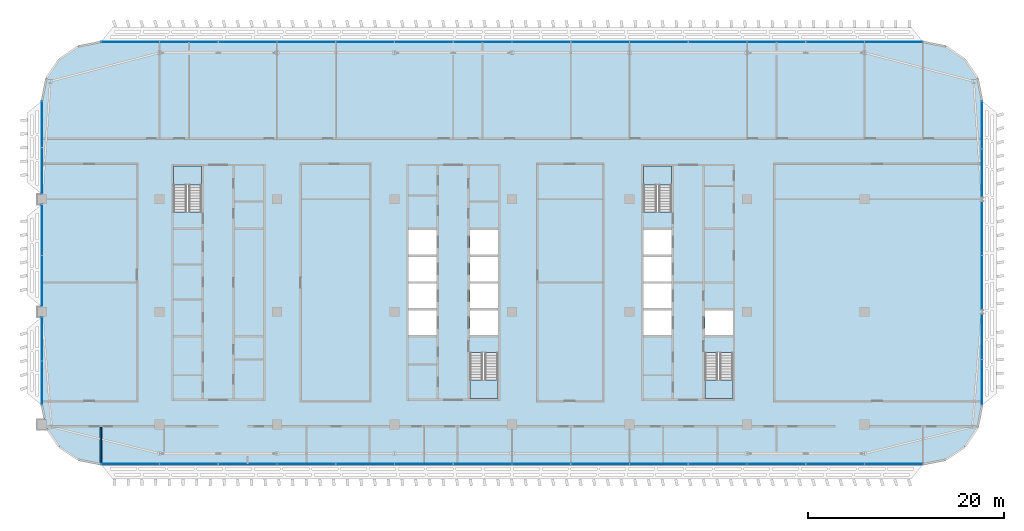
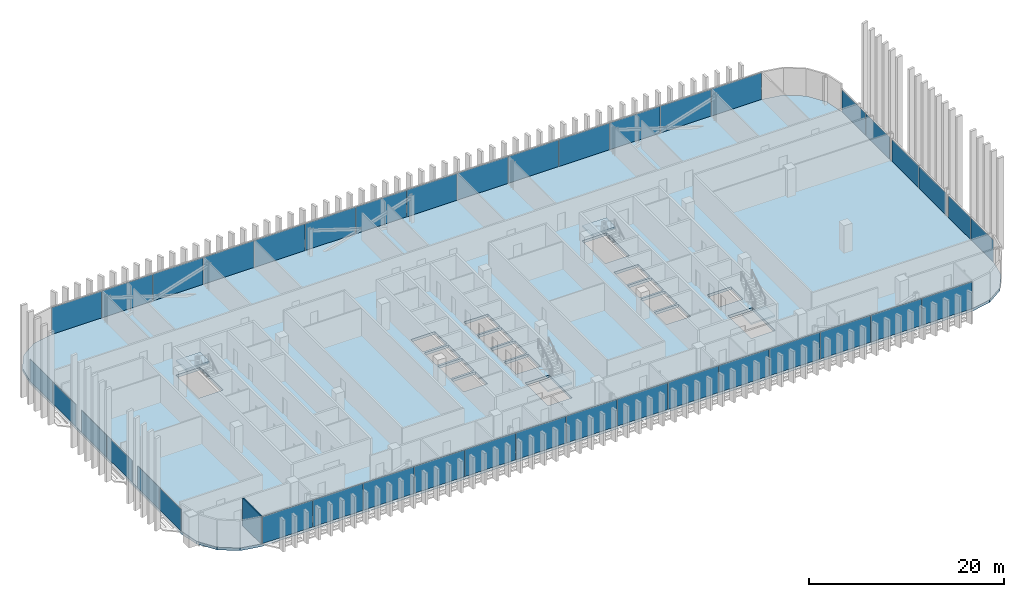
# One storey, part 15 of 32: 40 plates, 5 slabs, 1 wall, 12 elements without a shape of their own.
"""IFC4 building model written with IfcOpenShell, lengths in metres."""

from ifc_helpers import new_model, si_unit, direction, frame, frame_2d, origin, origin_2d, place, context, subcontext, project, spatial, polyline, rectangle, outline, extrude, material, layer, layer_set, type_object, element, aggregate, save


model = new_model("IFC4")

# Units and contexts
model_context = context("Model", 3, precision=1e-05, world=origin(), true_north=direction((0.0, 1.0)))
body_context = subcontext(model_context, "Body", "Model", "MODEL_VIEW")
ifc_project = project(units=[si_unit("LENGTHUNIT", "METRE"), si_unit("AREAUNIT", "SQUARE_METRE"), si_unit("VOLUMEUNIT", "CUBIC_METRE"), si_unit("PLANEANGLEUNIT", "RADIAN"), si_unit("MASSUNIT", "GRAM", prefix="KILO")], contexts=[model_context])

# Site, building, storey
site_placement = place(None, origin())
site = spatial("IfcSite", under=ifc_project, at=site_placement, CompositionType="ELEMENT")
building_placement = place(site_placement, origin())
building = spatial("IfcBuilding", under=site, at=building_placement, Name="Mahtab Terrace Research Tower", CompositionType="ELEMENT")
storey_placement = place(building_placement, frame((0.0, 0.0, 243.800048828125)))
storey = spatial("IfcBuildingStorey", under=building, at=storey_placement, Name="L59", CompositionType="ELEMENT", Elevation=243.800048828125)

# Stair, slab
ifc_material_1 = material(Name="Exit stair half-turn")
stair_type = type_object("IfcStairType", Name="Exit stair half-turn", PredefinedType="HALF_TURN_STAIR", material=ifc_material_1)
stair_1_placement = place(storey_placement, origin())
stair_1 = element("IfcStair", 1, at=stair_1_placement, inside=storey, type_object=stair_type, Name="L59 Protected exit stair ST1", PredefinedType="HALF_TURN_STAIR")
ifc_material_2 = material(Name="Concrete C40/50", Category="concrete")
ifc_layer_1 = layer(ifc_material_2, 0.199951171875)
ifc_layer_set_1 = layer_set([ifc_layer_1], Name="Exit stair landing 200")
slab_type_1 = type_object("IfcSlabType", Name="Exit stair landing 200", PredefinedType="LANDING", material=ifc_layer_set_1)
slab_1_placement = place(storey_placement, frame((0.0, 0.0, 1.699951171875)))
slab_1 = element("IfcSlab", 2, at=slab_1_placement, type_object=slab_type_1, Name="ST1 landing 1", PredefinedType="LANDING", context=body_context, shape_type="SweptSolid", body=[
    extrude(outline(polyline([(-25.699951171875, 12.97509765625), (-25.699951171875, 14.875), (-28.550048828125, 14.875), (-28.550048828125, 12.97509765625), (-25.699951171875, 12.97509765625)])), origin(), (0.0, 0.0, 1.0), 0.199951171875),
])
aggregate(stair_1, [slab_1])

stair_2_placement = place(storey_placement, origin())
stair_2 = element("IfcStair", 3, at=stair_2_placement, inside=storey, type_object=stair_type, Name="L59 Protected exit stair ST2", PredefinedType="HALF_TURN_STAIR")
slab_2_placement = place(storey_placement, frame((0.0, 0.0, 1.699951171875)))
slab_2 = element("IfcSlab", 4, at=slab_2_placement, type_object=slab_type_1, Name="ST2 landing 1", PredefinedType="LANDING", context=body_context, shape_type="SweptSolid", body=[
    extrude(outline(polyline([(1.699951171875, -6.97509765625), (1.699951171875, -8.875), (4.550048828125, -8.875), (4.550048828125, -6.97509765625), (1.699951171875, -6.97509765625)])), origin(), (0.0, 0.0, 1.0), 0.199951171875),
])
aggregate(stair_2, [slab_2])

stair_3_placement = place(storey_placement, origin())
stair_3 = element("IfcStair", 5, at=stair_3_placement, inside=storey, type_object=stair_type, Name="L59 Protected exit stair ST3", PredefinedType="HALF_TURN_STAIR")
slab_3_placement = place(storey_placement, frame((0.0, 0.0, 1.699951171875)))
slab_3 = element("IfcSlab", 6, at=slab_3_placement, type_object=slab_type_1, Name="ST3 landing 1", PredefinedType="LANDING", context=body_context, shape_type="SweptSolid", body=[
    extrude(outline(polyline([(22.300048828125, 12.97509765625), (22.300048828125, 14.875), (19.449951171875, 14.875), (19.449951171875, 12.97509765625), (22.300048828125, 12.97509765625)])), origin(), (0.0, 0.0, 1.0), 0.199951171875),
])
aggregate(stair_3, [slab_3])

stair_4_placement = place(storey_placement, origin())
stair_4 = element("IfcStair", 7, at=stair_4_placement, inside=storey, type_object=stair_type, Name="L59 Protected exit stair ST4", PredefinedType="HALF_TURN_STAIR")
slab_4_placement = place(storey_placement, frame((0.0, 0.0, 1.699951171875)))
slab_4 = element("IfcSlab", 8, at=slab_4_placement, type_object=slab_type_1, Name="ST4 landing 1", PredefinedType="LANDING", context=body_context, shape_type="SweptSolid", body=[
    extrude(outline(polyline([(25.699951171875, -6.97509765625), (25.699951171875, -8.875), (28.550048828125, -8.875), (28.550048828125, -6.97509765625), (25.699951171875, -6.97509765625)])), origin(), (0.0, 0.0, 1.0), 0.199951171875),
])
aggregate(stair_4, [slab_4])

# Curtain wall, plates
ifc_material_3 = material(Name="Office ribbon curtain wall")
curtain_wall_type = type_object("IfcCurtainWallType", Name="Office ribbon curtain wall", PredefinedType="NOTDEFINED", material=ifc_material_3)
curtain_wall_1_placement = place(storey_placement, origin())
curtain_wall_1 = element("IfcCurtainWall", 9, at=curtain_wall_1_placement, inside=storey, type_object=curtain_wall_type, Name="EN.L59.3.3", PredefinedType="NOTDEFINED")
ifc_material_4 = material(Name="Dark glazing", Category="glass")
ifc_layer_2 = layer(ifc_material_4, 0.030029296875)
ifc_layer_set_2 = layer_set([ifc_layer_2], Name="Office ribbon curtain wall glazing panel")
plate_type_1 = type_object("IfcPlateType", Name="Office ribbon curtain wall glazing panel", PredefinedType="CURTAIN_PANEL", material=ifc_layer_set_2)
plate_1_placement = place(storey_placement, frame((44.985107421875, 27.555908203125, 0.0), z_axis=(0.0, 0.0, 1.0), x_axis=(-1.0, 0.0, 0.0)))
plate_1 = element("IfcPlate", 10, at=plate_1_placement, type_object=plate_type_1, Name="CWO-7 panel 1", PredefinedType="CURTAIN_PANEL", context=body_context, shape_type="SweptSolid", body=[
    extrude(rectangle(XDim=5.909912109375, YDim=0.030029296875, at=origin_2d()), origin(), (0.0, 0.0, 1.0), 3.360107421875),
])
plate_2_placement = place(storey_placement, frame((27.0, 27.555908203125, 0.0), z_axis=(0.0, 0.0, 1.0), x_axis=(-1.0, 0.0, 0.0)))
plate_2 = element("IfcPlate", 11, at=plate_2_placement, type_object=plate_type_1, Name="CWO-7 panel 4", PredefinedType="CURTAIN_PANEL", context=body_context, shape_type="SweptSolid", body=[
    extrude(rectangle(XDim=5.93994140625, YDim=0.030029296875, at=origin_2d()), origin(), (0.0, 0.0, 1.0), 3.360107421875),
])
plate_3_placement = place(storey_placement, frame((21.0, 27.555908203125, 0.0), z_axis=(0.0, 0.0, 1.0), x_axis=(-1.0, 0.0, 0.0)))
plate_3 = element("IfcPlate", 12, at=plate_3_placement, type_object=plate_type_1, Name="CWO-7 panel 5", PredefinedType="CURTAIN_PANEL", context=body_context, shape_type="SweptSolid", body=[
    extrude(rectangle(XDim=5.93994140625, YDim=0.030029296875, at=origin_2d()), origin(), (0.0, 0.0, 1.0), 3.360107421875),
])
plate_4_placement = place(storey_placement, frame((15.0, 27.555908203125, 0.0), z_axis=(0.0, 0.0, 1.0), x_axis=(-1.0, 0.0, 0.0)))
plate_4 = element("IfcPlate", 13, at=plate_4_placement, type_object=plate_type_1, Name="CWO-7 panel 6", PredefinedType="CURTAIN_PANEL", context=body_context, shape_type="SweptSolid", body=[
    extrude(rectangle(XDim=5.93994140625, YDim=0.030029296875, at=origin_2d()), origin(), (0.0, 0.0, 1.0), 3.360107421875),
])
plate_5_placement = place(storey_placement, frame((9.0, 27.555908203125, 0.0), z_axis=(0.0, 0.0, 1.0), x_axis=(-1.0, 0.0, 0.0)))
plate_5 = element("IfcPlate", 14, at=plate_5_placement, type_object=plate_type_1, Name="CWO-7 panel 7", PredefinedType="CURTAIN_PANEL", context=body_context, shape_type="SweptSolid", body=[
    extrude(rectangle(XDim=5.93994140625, YDim=0.030029296875, at=origin_2d()), origin(), (0.0, 0.0, 1.0), 3.360107421875),
])
plate_6_placement = place(storey_placement, frame((-9.0, 27.555908203125, 0.0), z_axis=(0.0, 0.0, 1.0), x_axis=(-1.0, 0.0, 0.0)))
plate_6 = element("IfcPlate", 15, at=plate_6_placement, type_object=plate_type_1, Name="CWO-7 panel 10", PredefinedType="CURTAIN_PANEL", context=body_context, shape_type="SweptSolid", body=[
    extrude(rectangle(XDim=5.93994140625, YDim=0.030029296875, at=origin_2d()), origin(), (0.0, 0.0, 1.0), 3.360107421875),
])
plate_7_placement = place(storey_placement, frame((-15.0, 27.555908203125, 0.0), z_axis=(0.0, 0.0, 1.0), x_axis=(-1.0, 0.0, 0.0)))
plate_7 = element("IfcPlate", 16, at=plate_7_placement, type_object=plate_type_1, Name="CWO-7 panel 11", PredefinedType="CURTAIN_PANEL", context=body_context, shape_type="SweptSolid", body=[
    extrude(rectangle(XDim=5.93994140625, YDim=0.030029296875, at=origin_2d()), origin(), (0.0, 0.0, 1.0), 3.360107421875),
])
plate_8_placement = place(storey_placement, frame((-32.985107421875, 27.555908203125, 0.0), z_axis=(0.0, 0.0, 1.0), x_axis=(-1.0, 0.0, 0.0)))
plate_8 = element("IfcPlate", 17, at=plate_8_placement, type_object=plate_type_1, Name="CWO-7 panel 14", PredefinedType="CURTAIN_PANEL", context=body_context, shape_type="SweptSolid", body=[
    extrude(rectangle(XDim=5.909912109375, YDim=0.030029296875, at=origin_2d()), origin(), (0.0, 0.0, 1.0), 3.360107421875),
])

curtain_wall_2_placement = place(storey_placement, origin())
curtain_wall_2 = element("IfcCurtainWall", 18, at=curtain_wall_2_placement, inside=storey, type_object=curtain_wall_type, Name="EN.L59.8.8", PredefinedType="NOTDEFINED")
plate_9_placement = place(storey_placement, frame((-42.0, 19.152099609375, 0.0), z_axis=(0.0, 0.0, 1.0), x_axis=(0.0, -1.0, 0.0)))
plate_9 = element("IfcPlate", 19, at=plate_9_placement, type_object=plate_type_1, Name="CWO-7 panel 1", PredefinedType="CURTAIN_PANEL", context=body_context, shape_type="SweptSolid", body=[
    extrude(rectangle(XDim=4.68798828125, YDim=0.030029296875, at=origin_2d()), origin(), (0.0, 0.0, 1.0), 2.7529296875),
])
plate_10_placement = place(storey_placement, frame((-42.0, 14.404052734375, 0.0), z_axis=(0.0, 0.0, 1.0), x_axis=(0.0, -1.0, 0.0)))
plate_10 = element("IfcPlate", 20, at=plate_10_placement, type_object=plate_type_1, Name="CWO-7 panel 2", PredefinedType="CURTAIN_PANEL", context=body_context, shape_type="SweptSolid", body=[
    extrude(rectangle(XDim=4.68798828125, YDim=0.030029296875, at=origin_2d()), origin(), (0.0, 0.0, 1.0), 2.7529296875),
])
aggregate(curtain_wall_2, [plate_9, plate_10])

curtain_wall_3_placement = place(storey_placement, origin())
curtain_wall_3 = element("IfcCurtainWall", 21, at=curtain_wall_3_placement, inside=storey, type_object=curtain_wall_type, Name="EN.L59.8.9", PredefinedType="NOTDEFINED")
plate_11_placement = place(storey_placement, frame((-42.0, 8.360107421875, 0.0), z_axis=(0.0, 0.0, 1.0), x_axis=(0.0, -1.0, 0.0)))
plate_11 = element("IfcPlate", 22, at=plate_11_placement, type_object=plate_type_1, Name="CWO-7 panel 1", PredefinedType="CURTAIN_PANEL", context=body_context, shape_type="SweptSolid", body=[
    extrude(rectangle(XDim=5.159912109375, YDim=0.030029296875, at=origin_2d()), origin(), (0.0, 0.0, 1.0), 2.7529296875),
])
plate_12_placement = place(storey_placement, frame((-42.0, 3.139892578125, 0.0), z_axis=(0.0, 0.0, 1.0), x_axis=(0.0, -1.0, 0.0)))
plate_12 = element("IfcPlate", 23, at=plate_12_placement, type_object=plate_type_1, Name="CWO-7 panel 2", PredefinedType="CURTAIN_PANEL", context=body_context, shape_type="SweptSolid", body=[
    extrude(rectangle(XDim=5.159912109375, YDim=0.030029296875, at=origin_2d()), origin(), (0.0, 0.0, 1.0), 2.7529296875),
])
aggregate(curtain_wall_3, [plate_11, plate_12])

curtain_wall_4_placement = place(storey_placement, origin())
curtain_wall_4 = element("IfcCurtainWall", 24, at=curtain_wall_4_placement, inside=storey, type_object=curtain_wall_type, Name="EN.L59.8.10", PredefinedType="NOTDEFINED")
plate_13_placement = place(storey_placement, frame((-42.0, -2.779052734375, 0.0), z_axis=(0.0, 0.0, 1.0), x_axis=(0.0, -1.0, 0.0)))
plate_13 = element("IfcPlate", 25, at=plate_13_placement, type_object=plate_type_1, Name="CWO-7 panel 1", PredefinedType="CURTAIN_PANEL", context=body_context, shape_type="SweptSolid", body=[
    extrude(rectangle(XDim=4.43798828125, YDim=0.030029296875, at=origin_2d()), origin(), (0.0, 0.0, 1.0), 2.7529296875),
])
plate_14_placement = place(storey_placement, frame((-42.0, -7.277099609375, 0.0), z_axis=(0.0, 0.0, 1.0), x_axis=(0.0, -1.0, 0.0)))
plate_14 = element("IfcPlate", 26, at=plate_14_placement, type_object=plate_type_1, Name="CWO-7 panel 2", PredefinedType="CURTAIN_PANEL", context=body_context, shape_type="SweptSolid", body=[
    extrude(rectangle(XDim=4.43798828125, YDim=0.030029296875, at=origin_2d()), origin(), (0.0, 0.0, 1.0), 2.7529296875),
])
aggregate(curtain_wall_4, [plate_13, plate_14])

curtain_wall_5_placement = place(storey_placement, origin())
curtain_wall_5 = element("IfcCurtainWall", 27, at=curtain_wall_5_placement, inside=storey, type_object=curtain_wall_type, Name="EN.L59.13.15", PredefinedType="NOTDEFINED")
plate_15_placement = place(storey_placement, frame((-32.985107421875, -15.555908203125, 0.0), z_axis=(0.0, 0.0, 1.0), x_axis=(1.0, 0.0, 0.0)))
plate_15 = element("IfcPlate", 28, at=plate_15_placement, type_object=plate_type_1, Name="CWO-7 panel 1", PredefinedType="CURTAIN_PANEL", context=body_context, shape_type="SweptSolid", body=[
    extrude(rectangle(XDim=5.909912109375, YDim=0.030029296875, at=origin_2d()), origin(), (0.0, 0.0, 1.0), 3.360107421875),
])
plate_16_placement = place(storey_placement, frame((-15.0, -15.555908203125, 0.0), z_axis=(0.0, 0.0, 1.0), x_axis=(1.0, 0.0, 0.0)))
plate_16 = element("IfcPlate", 29, at=plate_16_placement, type_object=plate_type_1, Name="CWO-7 panel 4", PredefinedType="CURTAIN_PANEL", context=body_context, shape_type="SweptSolid", body=[
    extrude(rectangle(XDim=5.93994140625, YDim=0.030029296875, at=origin_2d()), origin(), (0.0, 0.0, 1.0), 3.360107421875),
])
plate_17_placement = place(storey_placement, frame((-9.0, -15.555908203125, 0.0), z_axis=(0.0, 0.0, 1.0), x_axis=(1.0, 0.0, 0.0)))
plate_17 = element("IfcPlate", 30, at=plate_17_placement, type_object=plate_type_1, Name="CWO-7 panel 5", PredefinedType="CURTAIN_PANEL", context=body_context, shape_type="SweptSolid", body=[
    extrude(rectangle(XDim=5.93994140625, YDim=0.030029296875, at=origin_2d()), origin(), (0.0, 0.0, 1.0), 3.360107421875),
])
plate_18_placement = place(storey_placement, frame((-3.0, -15.555908203125, 0.0), z_axis=(0.0, 0.0, 1.0), x_axis=(1.0, 0.0, 0.0)))
plate_18 = element("IfcPlate", 31, at=plate_18_placement, type_object=plate_type_1, Name="CWO-7 panel 6", PredefinedType="CURTAIN_PANEL", context=body_context, shape_type="SweptSolid", body=[
    extrude(rectangle(XDim=5.93994140625, YDim=0.030029296875, at=origin_2d()), origin(), (0.0, 0.0, 1.0), 3.360107421875),
])
plate_19_placement = place(storey_placement, frame((3.0, -15.555908203125, 0.0), z_axis=(0.0, 0.0, 1.0), x_axis=(1.0, 0.0, 0.0)))
plate_19 = element("IfcPlate", 32, at=plate_19_placement, type_object=plate_type_1, Name="CWO-7 panel 7", PredefinedType="CURTAIN_PANEL", context=body_context, shape_type="SweptSolid", body=[
    extrude(rectangle(XDim=5.93994140625, YDim=0.030029296875, at=origin_2d()), origin(), (0.0, 0.0, 1.0), 3.360107421875),
])
plate_20_placement = place(storey_placement, frame((9.0, -15.555908203125, 0.0), z_axis=(0.0, 0.0, 1.0), x_axis=(1.0, 0.0, 0.0)))
plate_20 = element("IfcPlate", 33, at=plate_20_placement, type_object=plate_type_1, Name="CWO-7 panel 8", PredefinedType="CURTAIN_PANEL", context=body_context, shape_type="SweptSolid", body=[
    extrude(rectangle(XDim=5.93994140625, YDim=0.030029296875, at=origin_2d()), origin(), (0.0, 0.0, 1.0), 3.360107421875),
])
plate_21_placement = place(storey_placement, frame((15.0, -15.555908203125, 0.0), z_axis=(0.0, 0.0, 1.0), x_axis=(1.0, 0.0, 0.0)))
plate_21 = element("IfcPlate", 34, at=plate_21_placement, type_object=plate_type_1, Name="CWO-7 panel 9", PredefinedType="CURTAIN_PANEL", context=body_context, shape_type="SweptSolid", body=[
    extrude(rectangle(XDim=5.93994140625, YDim=0.030029296875, at=origin_2d()), origin(), (0.0, 0.0, 1.0), 3.360107421875),
])
plate_22_placement = place(storey_placement, frame((21.0, -15.555908203125, 0.0), z_axis=(0.0, 0.0, 1.0), x_axis=(1.0, 0.0, 0.0)))
plate_22 = element("IfcPlate", 35, at=plate_22_placement, type_object=plate_type_1, Name="CWO-7 panel 10", PredefinedType="CURTAIN_PANEL", context=body_context, shape_type="SweptSolid", body=[
    extrude(rectangle(XDim=5.93994140625, YDim=0.030029296875, at=origin_2d()), origin(), (0.0, 0.0, 1.0), 3.360107421875),
])
plate_23_placement = place(storey_placement, frame((27.0, -15.555908203125, 0.0), z_axis=(0.0, 0.0, 1.0), x_axis=(1.0, 0.0, 0.0)))
plate_23 = element("IfcPlate", 36, at=plate_23_placement, type_object=plate_type_1, Name="CWO-7 panel 11", PredefinedType="CURTAIN_PANEL", context=body_context, shape_type="SweptSolid", body=[
    extrude(rectangle(XDim=5.93994140625, YDim=0.030029296875, at=origin_2d()), origin(), (0.0, 0.0, 1.0), 3.360107421875),
])
plate_24_placement = place(storey_placement, frame((44.985107421875, -15.555908203125, 0.0), z_axis=(0.0, 0.0, 1.0), x_axis=(1.0, 0.0, 0.0)))
plate_24 = element("IfcPlate", 37, at=plate_24_placement, type_object=plate_type_1, Name="CWO-7 panel 14", PredefinedType="CURTAIN_PANEL", context=body_context, shape_type="SweptSolid", body=[
    extrude(rectangle(XDim=5.909912109375, YDim=0.030029296875, at=origin_2d()), origin(), (0.0, 0.0, 1.0), 3.360107421875),
])

curtain_wall_6_placement = place(storey_placement, origin())
curtain_wall_6 = element("IfcCurtainWall", 38, at=curtain_wall_6_placement, inside=storey, type_object=curtain_wall_type, Name="EN.L59.18.20", PredefinedType="NOTDEFINED")
plate_25_placement = place(storey_placement, frame((54.0, -7.2001953125, 0.0), z_axis=(0.0, 0.0, 1.0), x_axis=(0.0, 1.0, 0.0)))
plate_25 = element("IfcPlate", 39, at=plate_25_placement, type_object=plate_type_1, Name="CWO-7 panel 1", PredefinedType="CURTAIN_PANEL", context=body_context, shape_type="SweptSolid", body=[
    extrude(rectangle(XDim=4.591552734375, YDim=0.030029296875, at=origin_2d()), origin(), (0.0, 0.0, 1.0), 2.7529296875),
])
plate_26_placement = place(storey_placement, frame((54.0, -2.548828125, 0.0), z_axis=(0.0, 0.0, 1.0), x_axis=(0.0, 1.0, 0.0)))
plate_26 = element("IfcPlate", 40, at=plate_26_placement, type_object=plate_type_1, Name="CWO-7 panel 2", PredefinedType="CURTAIN_PANEL", context=body_context, shape_type="SweptSolid", body=[
    extrude(rectangle(XDim=4.591552734375, YDim=0.030029296875, at=origin_2d()), origin(), (0.0, 0.0, 1.0), 2.7529296875),
])
aggregate(curtain_wall_6, [plate_25, plate_26])

curtain_wall_7_placement = place(storey_placement, origin())
curtain_wall_7 = element("IfcCurtainWall", 41, at=curtain_wall_7_placement, inside=storey, type_object=curtain_wall_type, Name="EN.L59.18.21", PredefinedType="NOTDEFINED")
plate_27_placement = place(storey_placement, frame((54.0, 2.986572265625, 0.0), z_axis=(0.0, 0.0, 1.0), x_axis=(0.0, 1.0, 0.0)))
plate_27 = element("IfcPlate", 42, at=plate_27_placement, type_object=plate_type_1, Name="CWO-7 panel 1", PredefinedType="CURTAIN_PANEL", context=body_context, shape_type="SweptSolid", body=[
    extrude(rectangle(XDim=5.467041015625, YDim=0.030029296875, at=origin_2d()), origin(), (0.0, 0.0, 1.0), 2.7529296875),
])
plate_28_placement = place(storey_placement, frame((54.0, 8.513427734375, 0.0), z_axis=(0.0, 0.0, 1.0), x_axis=(0.0, 1.0, 0.0)))
plate_28 = element("IfcPlate", 43, at=plate_28_placement, type_object=plate_type_1, Name="CWO-7 panel 2", PredefinedType="CURTAIN_PANEL", context=body_context, shape_type="SweptSolid", body=[
    extrude(rectangle(XDim=5.467041015625, YDim=0.030029296875, at=origin_2d()), origin(), (0.0, 0.0, 1.0), 2.7529296875),
])
aggregate(curtain_wall_7, [plate_27, plate_28])

curtain_wall_8_placement = place(storey_placement, origin())
curtain_wall_8 = element("IfcCurtainWall", 44, at=curtain_wall_8_placement, inside=storey, type_object=curtain_wall_type, Name="EN.L59.18.22", PredefinedType="NOTDEFINED")
plate_29_placement = place(storey_placement, frame((54.0, 14.173828125, 0.0), z_axis=(0.0, 0.0, 1.0), x_axis=(0.0, 1.0, 0.0)))
plate_29 = element("IfcPlate", 45, at=plate_29_placement, type_object=plate_type_1, Name="CWO-7 panel 1", PredefinedType="CURTAIN_PANEL", context=body_context, shape_type="SweptSolid", body=[
    extrude(rectangle(XDim=4.841552734375, YDim=0.030029296875, at=origin_2d()), origin(), (0.0, 0.0, 1.0), 2.7529296875),
])
plate_30_placement = place(storey_placement, frame((54.0, 19.0751953125, 0.0), z_axis=(0.0, 0.0, 1.0), x_axis=(0.0, 1.0, 0.0)))
plate_30 = element("IfcPlate", 46, at=plate_30_placement, type_object=plate_type_1, Name="CWO-7 panel 2", PredefinedType="CURTAIN_PANEL", context=body_context, shape_type="SweptSolid", body=[
    extrude(rectangle(XDim=4.841552734375, YDim=0.030029296875, at=origin_2d()), origin(), (0.0, 0.0, 1.0), 2.7529296875),
])
aggregate(curtain_wall_8, [plate_29, plate_30])

# Plate
ifc_material_5 = material(Name="Insulated aluminium spandrel panel", Category="aluminium")
ifc_layer_3 = layer(ifc_material_5, 0.030029296875)
ifc_layer_set_3 = layer_set([ifc_layer_3], Name="Office ribbon curtain wall spandrel infill panel")
plate_type_2 = type_object("IfcPlateType", Name="Office ribbon curtain wall spandrel infill panel", PredefinedType="CURTAIN_PANEL", material=ifc_layer_set_3)
plate_31_placement = place(storey_placement, frame((39.0, 27.555908203125, 0.0), z_axis=(0.0, 0.0, 1.0), x_axis=(-1.0, 0.0, 0.0)))
plate_31 = element("IfcPlate", 47, at=plate_31_placement, type_object=plate_type_2, Name="CWO-7 infill panel 2", PredefinedType="CURTAIN_PANEL", context=body_context, shape_type="SweptSolid", body=[
    extrude(rectangle(XDim=5.93994140625, YDim=0.030029296875, at=origin_2d()), origin(), (0.0, 0.0, 1.0), 3.360107421875),
])

plate_32_placement = place(storey_placement, frame((33.0, 27.555908203125, 0.0), z_axis=(0.0, 0.0, 1.0), x_axis=(-1.0, 0.0, 0.0)))
plate_32 = element("IfcPlate", 48, at=plate_32_placement, type_object=plate_type_2, Name="CWO-7 infill panel 3", PredefinedType="CURTAIN_PANEL", context=body_context, shape_type="SweptSolid", body=[
    extrude(rectangle(XDim=5.93994140625, YDim=0.030029296875, at=origin_2d()), origin(), (0.0, 0.0, 1.0), 3.360107421875),
])

plate_33_placement = place(storey_placement, frame((3.0, 27.555908203125, 0.0), z_axis=(0.0, 0.0, 1.0), x_axis=(-1.0, 0.0, 0.0)))
plate_33 = element("IfcPlate", 49, at=plate_33_placement, type_object=plate_type_2, Name="CWO-7 infill panel 8", PredefinedType="CURTAIN_PANEL", context=body_context, shape_type="SweptSolid", body=[
    extrude(rectangle(XDim=5.93994140625, YDim=0.030029296875, at=origin_2d()), origin(), (0.0, 0.0, 1.0), 3.360107421875),
])

plate_34_placement = place(storey_placement, frame((-3.0, 27.555908203125, 0.0), z_axis=(0.0, 0.0, 1.0), x_axis=(-1.0, 0.0, 0.0)))
plate_34 = element("IfcPlate", 50, at=plate_34_placement, type_object=plate_type_2, Name="CWO-7 infill panel 9", PredefinedType="CURTAIN_PANEL", context=body_context, shape_type="SweptSolid", body=[
    extrude(rectangle(XDim=5.93994140625, YDim=0.030029296875, at=origin_2d()), origin(), (0.0, 0.0, 1.0), 3.360107421875),
])

plate_35_placement = place(storey_placement, frame((-21.0, 27.555908203125, 0.0), z_axis=(0.0, 0.0, 1.0), x_axis=(-1.0, 0.0, 0.0)))
plate_35 = element("IfcPlate", 51, at=plate_35_placement, type_object=plate_type_2, Name="CWO-7 infill panel 12", PredefinedType="CURTAIN_PANEL", context=body_context, shape_type="SweptSolid", body=[
    extrude(rectangle(XDim=5.93994140625, YDim=0.030029296875, at=origin_2d()), origin(), (0.0, 0.0, 1.0), 3.360107421875),
])

plate_36_placement = place(storey_placement, frame((-27.0, 27.555908203125, 0.0), z_axis=(0.0, 0.0, 1.0), x_axis=(-1.0, 0.0, 0.0)))
plate_36 = element("IfcPlate", 52, at=plate_36_placement, type_object=plate_type_2, Name="CWO-7 infill panel 13", PredefinedType="CURTAIN_PANEL", context=body_context, shape_type="SweptSolid", body=[
    extrude(rectangle(XDim=5.93994140625, YDim=0.030029296875, at=origin_2d()), origin(), (0.0, 0.0, 1.0), 3.360107421875),
])

aggregate(curtain_wall_1, [plate_1, plate_31, plate_32, plate_2, plate_3, plate_4, plate_5, plate_33, plate_34, plate_6, plate_7, plate_35, plate_36, plate_8])

plate_37_placement = place(storey_placement, frame((-27.0, -15.555908203125, 0.0), z_axis=(0.0, 0.0, 1.0), x_axis=(1.0, 0.0, 0.0)))
plate_37 = element("IfcPlate", 53, at=plate_37_placement, type_object=plate_type_2, Name="CWO-7 infill panel 2", PredefinedType="CURTAIN_PANEL", context=body_context, shape_type="SweptSolid", body=[
    extrude(rectangle(XDim=5.93994140625, YDim=0.030029296875, at=origin_2d()), origin(), (0.0, 0.0, 1.0), 3.360107421875),
])

plate_38_placement = place(storey_placement, frame((-21.0, -15.555908203125, 0.0), z_axis=(0.0, 0.0, 1.0), x_axis=(1.0, 0.0, 0.0)))
plate_38 = element("IfcPlate", 54, at=plate_38_placement, type_object=plate_type_2, Name="CWO-7 infill panel 3", PredefinedType="CURTAIN_PANEL", context=body_context, shape_type="SweptSolid", body=[
    extrude(rectangle(XDim=5.93994140625, YDim=0.030029296875, at=origin_2d()), origin(), (0.0, 0.0, 1.0), 3.360107421875),
])

plate_39_placement = place(storey_placement, frame((33.0, -15.555908203125, 0.0), z_axis=(0.0, 0.0, 1.0), x_axis=(1.0, 0.0, 0.0)))
plate_39 = element("IfcPlate", 55, at=plate_39_placement, type_object=plate_type_2, Name="CWO-7 infill panel 12", PredefinedType="CURTAIN_PANEL", context=body_context, shape_type="SweptSolid", body=[
    extrude(rectangle(XDim=5.93994140625, YDim=0.030029296875, at=origin_2d()), origin(), (0.0, 0.0, 1.0), 3.360107421875),
])

plate_40_placement = place(storey_placement, frame((39.0, -15.555908203125, 0.0), z_axis=(0.0, 0.0, 1.0), x_axis=(1.0, 0.0, 0.0)))
plate_40 = element("IfcPlate", 56, at=plate_40_placement, type_object=plate_type_2, Name="CWO-7 infill panel 13", PredefinedType="CURTAIN_PANEL", context=body_context, shape_type="SweptSolid", body=[
    extrude(rectangle(XDim=5.93994140625, YDim=0.030029296875, at=origin_2d()), origin(), (0.0, 0.0, 1.0), 3.360107421875),
])

aggregate(curtain_wall_5, [plate_15, plate_37, plate_38, plate_16, plate_17, plate_18, plate_19, plate_20, plate_21, plate_22, plate_23, plate_39, plate_40, plate_24])

# Slab
ifc_layer_4 = layer(ifc_material_2, 0.340087890625)
ifc_layer_set_4 = layer_set([ifc_layer_4], Name="PT flat slab 340")
slab_type_2 = type_object("IfcSlabType", Name="PT flat slab 340", PredefinedType="FLOOR", material=ifc_layer_set_4)
slab_5_placement = place(storey_placement, frame((0.0, 0.0, -0.340087890625)))
element("IfcSlab", 57, at=slab_5_placement, inside=storey, type_object=slab_type_2, Name="Floor slab L59", PredefinedType="FLOOR", context=body_context, shape_type="SweptSolid", body=[
    extrude(outline(polyline([(53.54296875, 23.85205078125), (52.242919921875, 25.799072265625), (50.2958984375, 27.09912109375), (48.0, 27.555908203125), (-36.0, 27.555908203125), (-38.2958984375, 27.09912109375), (-40.242919921875, 25.799072265625), (-41.54296875, 23.85205078125), (-42.0, 21.555908203125), (-42.0, -9.555908203125), (-41.54296875, -11.85205078125), (-40.242919921875, -13.799072265625), (-38.2958984375, -15.09912109375), (-36.0, -15.555908203125), (48.0, -15.555908203125), (50.2958984375, -15.09912109375), (52.242919921875, -13.799072265625), (53.54296875, -11.85205078125), (54.0, -9.555908203125), (54.0, 21.555908203125), (53.54296875, 23.85205078125)]), holes=[polyline([(-4.550048828125, -2.375), (-4.550048828125, 0.125), (-1.699951171875, 0.125), (-1.699951171875, -2.375), (-4.550048828125, -2.375)]), polyline([(1.699951171875, -2.375), (1.699951171875, 0.125), (4.550048828125, 0.125), (4.550048828125, -2.375), (1.699951171875, -2.375)]), polyline([(-4.550048828125, 0.375), (-4.550048828125, 2.875), (-1.699951171875, 2.875), (-1.699951171875, 0.375), (-4.550048828125, 0.375)]), polyline([(1.699951171875, 0.375), (1.699951171875, 2.875), (4.550048828125, 2.875), (4.550048828125, 0.375), (1.699951171875, 0.375)]), polyline([(-4.550048828125, 3.125), (-4.550048828125, 5.625), (-1.699951171875, 5.625), (-1.699951171875, 3.125), (-4.550048828125, 3.125)]), polyline([(1.699951171875, 3.125), (1.699951171875, 5.625), (4.550048828125, 5.625), (4.550048828125, 3.125), (1.699951171875, 3.125)]), polyline([(-4.550048828125, 5.875), (-4.550048828125, 8.375), (-1.699951171875, 8.375), (-1.699951171875, 5.875), (-4.550048828125, 5.875)]), polyline([(1.699951171875, 5.875), (1.699951171875, 8.375), (4.550048828125, 8.375), (4.550048828125, 5.875), (1.699951171875, 5.875)]), polyline([(-28.550048828125, 10.177001953125), (-28.550048828125, 14.875), (-25.699951171875, 14.875), (-25.699951171875, 10.177001953125), (-28.550048828125, 10.177001953125)]), polyline([(1.699951171875, -8.875), (1.699951171875, -4.177001953125), (4.550048828125, -4.177001953125), (4.550048828125, -8.875), (1.699951171875, -8.875)]), polyline([(25.699951171875, -8.875), (25.699951171875, -4.177001953125), (28.550048828125, -4.177001953125), (28.550048828125, -8.875), (25.699951171875, -8.875)]), polyline([(19.449951171875, -2.375), (19.449951171875, 0.125), (22.300048828125, 0.125), (22.300048828125, -2.375), (19.449951171875, -2.375)]), polyline([(25.699951171875, -2.375), (25.699951171875, 0.125), (28.550048828125, 0.125), (28.550048828125, -2.375), (25.699951171875, -2.375)]), polyline([(19.449951171875, 0.375), (19.449951171875, 2.875), (22.300048828125, 2.875), (22.300048828125, 0.375), (19.449951171875, 0.375)]), polyline([(19.449951171875, 3.125), (19.449951171875, 5.625), (22.300048828125, 5.625), (22.300048828125, 3.125), (19.449951171875, 3.125)]), polyline([(19.449951171875, 8.375), (22.300048828125, 8.375), (22.300048828125, 5.875), (19.449951171875, 5.875), (19.449951171875, 8.375)]), polyline([(19.449951171875, 14.875), (22.300048828125, 14.875), (22.300048828125, 10.177001953125), (19.449951171875, 10.177001953125), (19.449951171875, 14.875)])]), origin(), (0.0, 0.0, 1.0), 0.340087890625),
])

# Wall
ifc_material_6 = material(Name="Gypsum board partition on steel studs", Category="steel")
ifc_layer_5 = layer(ifc_material_6, 0.14990234375)
ifc_layer_set_5 = layer_set([ifc_layer_5], Name="WALL PARTITION 150")
wall_type = type_object("IfcWallType", Name="WALL PARTITION 150", PredefinedType="PARTITIONING", material=ifc_layer_set_5)
wall_placement = place(storey_placement, frame((-36.0, -15.531005859375, 0.0), z_axis=(0.0, 0.0, 1.0), x_axis=(0.0, 1.0, 0.0)))
element("IfcWall", 58, at=wall_placement, inside=storey, type_object=wall_type, Name="L59-W026", PredefinedType="PARTITIONING", context=body_context, shape_type="SweptSolid", body=[
    extrude(rectangle(XDim=3.73095703125, YDim=0.14990234375, at=frame_2d((1.865478515625, 0.0))), origin(), (0.0, 0.0, 1.0), 3.4599609375),
])

save(model, "model.ifc")
